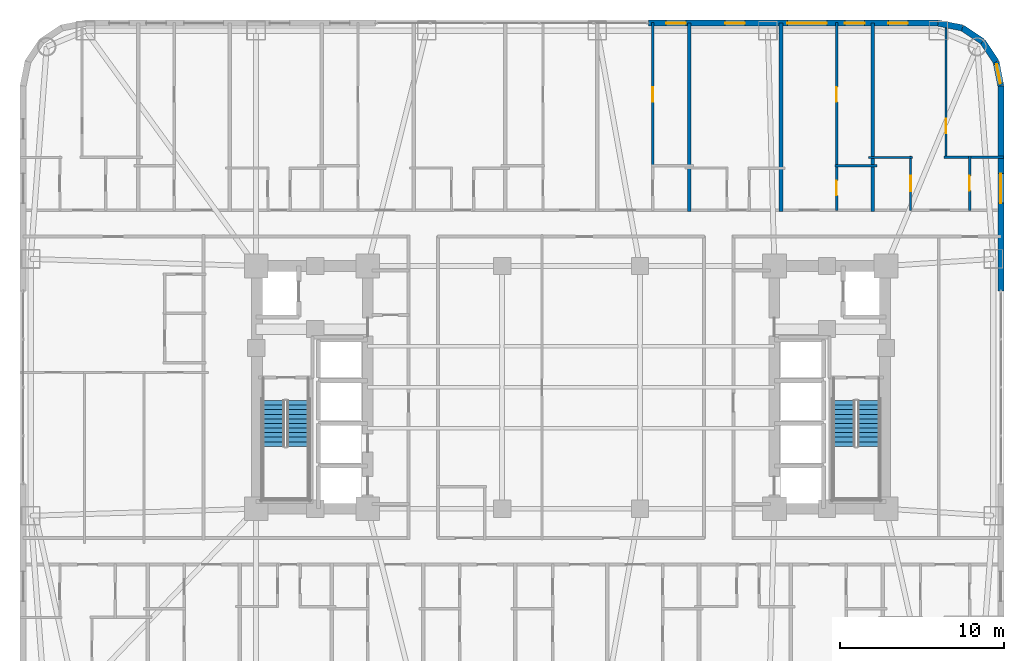
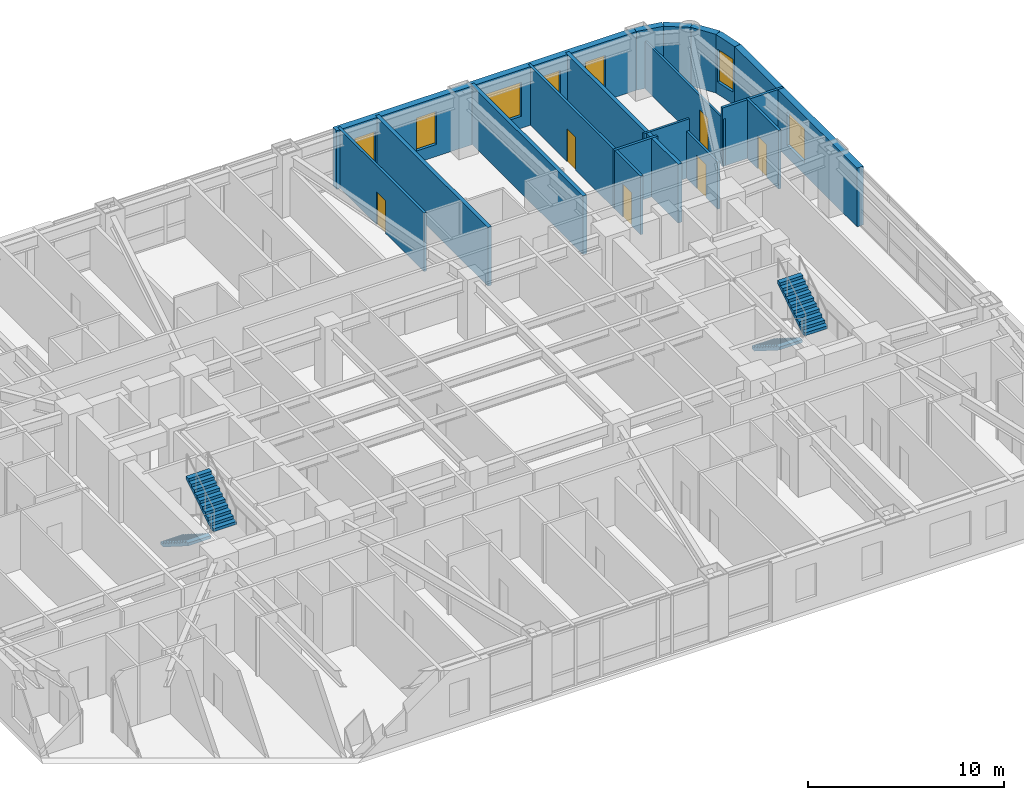
# One storey, part 26 of 28: 18 walls, 7 windows, 6 doors, 4 stair flights, 13 openings, 2 elements without a shape of their own.
"""IFC4 building model written with IfcOpenShell, lengths in metres."""

from ifc_helpers import new_model, si_unit, direction, frame, frame_2d, origin, place, context, subcontext, project, spatial, polyline, rectangle, outline, extrude, material, layer, layer_set, type_object, element, fill, aggregate, save


model = new_model("IFC4")

# Units and contexts
model_context = context("Model", 3, precision=1e-05, world=origin(), true_north=direction((0.0, 1.0)))
body_context = subcontext(model_context, "Body", "Model", "MODEL_VIEW")
ifc_project = project(units=[si_unit("LENGTHUNIT", "METRE"), si_unit("AREAUNIT", "SQUARE_METRE"), si_unit("VOLUMEUNIT", "CUBIC_METRE"), si_unit("PLANEANGLEUNIT", "RADIAN"), si_unit("MASSUNIT", "GRAM", prefix="KILO")], contexts=[model_context])

# Site, building, storey
site_placement = place(None, origin())
site = spatial("IfcSite", under=ifc_project, at=site_placement, CompositionType="ELEMENT")
building_placement = place(site_placement, origin())
building = spatial("IfcBuilding", under=site, at=building_placement, Name="Voryun Gate Residences", CompositionType="ELEMENT")
storey_placement = place(building_placement, frame((0.0, 0.0, 61.10009765625)))
storey = spatial("IfcBuildingStorey", under=building, at=storey_placement, Name="L14", CompositionType="ELEMENT", Elevation=61.10009765625)

# Wall, openings, windows
ifc_material_1 = material(Name="Granite masonry", Category="masonry")
ifc_layer_1 = layer(ifc_material_1, 0.3798828125, Name="W_EXT_GRANITE_380")
ifc_layer_set_1 = layer_set([ifc_layer_1], Name="Granite masonry")
wall_type_1 = type_object("IfcWallType", Name="W_EXT_GRANITE_380", PredefinedType="ELEMENTEDWALL", material=ifc_layer_set_1)
wall_1_placement = place(storey_placement, frame((4.714111328125, 22.2099609375, 0.0), z_axis=(0.0, 0.0, 1.0), x_axis=(1.0, 0.0, 0.0)))
wall_1 = element("IfcWall", 1, at=wall_1_placement, inside=storey, type_object=wall_type_1, Name="Exterior wall WEXT-L14-11B", PredefinedType="ELEMENTEDWALL", context=body_context, shape_type="SweptSolid", body=[
    extrude(rectangle(XDim=17.667236328125, YDim=0.3798828125, at=frame_2d((8.83349609375, 0.0))), origin(), (0.0, 0.0, 1.0), 3.64990234375),
])
opening_1_placement = place(wall_1_placement, frame((8.483642578125, 0.0, 0.75)))
opening_1 = element("IfcOpeningElement", 2, at=opening_1_placement, cuts=wall_1, Name="Opening WN2", PredefinedType="OPENING", context=body_context, shape_type="SweptSolid", body=[
    extrude(rectangle(XDim=2.39990234375, YDim=2.10009765625, at=frame_2d((1.199951171875, 1.050048828125))), frame((0.0, 0.199951171875, 0.0), z_axis=(0.0, -1.0, 0.0), x_axis=(1.0, 0.0, 0.0)), (0.0, 0.0, 1.0), 0.39990234375),
])
opening_2_placement = place(wall_1_placement, frame((1.087890625, 0.0, 0.75)))
opening_2 = element("IfcOpeningElement", 3, at=opening_2_placement, cuts=wall_1, Name="Opening WN6", PredefinedType="OPENING", context=body_context, shape_type="SweptSolid", body=[
    extrude(rectangle(XDim=1.199951171875, YDim=2.050048828125, at=frame_2d((0.60009765625, 1.02490234375))), frame((0.0, 0.199951171875, 0.0), z_axis=(0.0, -1.0, 0.0), x_axis=(1.0, 0.0, 0.0)), (0.0, 0.0, 1.0), 0.39990234375),
])
opening_3_placement = place(wall_1_placement, frame((4.68603515625, 0.0, 0.75)))
opening_3 = element("IfcOpeningElement", 4, at=opening_3_placement, cuts=wall_1, Name="Opening WN6", PredefinedType="OPENING", context=body_context, shape_type="SweptSolid", body=[
    extrude(rectangle(XDim=1.199951171875, YDim=2.050048828125, at=frame_2d((0.60009765625, 1.02490234375))), frame((0.0, 0.199951171875, 0.0), z_axis=(0.0, -1.0, 0.0), x_axis=(1.0, 0.0, 0.0)), (0.0, 0.0, 1.0), 0.39990234375),
])
opening_4_placement = place(wall_1_placement, frame((11.98095703125, 0.0, 0.75)))
opening_4 = element("IfcOpeningElement", 5, at=opening_4_placement, cuts=wall_1, Name="Opening WN6", PredefinedType="OPENING", context=body_context, shape_type="SweptSolid", body=[
    extrude(rectangle(XDim=1.199951171875, YDim=2.050048828125, at=frame_2d((0.60009765625, 1.02490234375))), frame((0.0, 0.199951171875, 0.0), z_axis=(0.0, -1.0, 0.0), x_axis=(1.0, 0.0, 0.0)), (0.0, 0.0, 1.0), 0.39990234375),
])
opening_5_placement = place(wall_1_placement, frame((14.631591796875, 0.0, 0.75)))
opening_5 = element("IfcOpeningElement", 6, at=opening_5_placement, cuts=wall_1, Name="Opening WN6", PredefinedType="OPENING", context=body_context, shape_type="SweptSolid", body=[
    extrude(rectangle(XDim=1.199951171875, YDim=2.050048828125, at=frame_2d((0.60009765625, 1.02490234375))), frame((0.0, 0.199951171875, 0.0), z_axis=(0.0, -1.0, 0.0), x_axis=(1.0, 0.0, 0.0)), (0.0, 0.0, 1.0), 0.39990234375),
])
ifc_material_2 = material(Name="Laminated low-E glass", Category="glass")
window_type_1 = type_object("IfcWindowType", Name="WN_POD_SLOT_1200", PartitioningType="SINGLE_PANEL", PredefinedType="WINDOW", material=ifc_material_2)
window_1_placement = place(opening_2_placement, origin())
window_1 = element("IfcWindow", 7, at=window_1_placement, inside=storey, type_object=window_type_1, Name="Window WN-L14-DWFIX-06", OverallHeight=2.050048828125, OverallWidth=1.199951171875, PartitioningType="SINGLE_PANEL", PredefinedType="WINDOW", context=body_context, shape_type="SweptSolid", body=[
    extrude(rectangle(XDim=1.199951171875, YDim=2.050048828125, at=frame_2d((0.60009765625, 1.02490234375))), frame((0.0, 0.030029296875, 0.0), z_axis=(0.0, -1.0, 0.0), x_axis=(1.0, 0.0, 0.0)), (0.0, 0.0, 1.0), 0.06005859375),
])
fill(opening_2, window_1)
window_2_placement = place(opening_3_placement, origin())
window_2 = element("IfcWindow", 8, at=window_2_placement, inside=storey, type_object=window_type_1, Name="Window WN-L14-DWFIX-07", OverallHeight=2.050048828125, OverallWidth=1.199951171875, PartitioningType="SINGLE_PANEL", PredefinedType="WINDOW", context=body_context, shape_type="SweptSolid", body=[
    extrude(rectangle(XDim=1.199951171875, YDim=2.050048828125, at=frame_2d((0.60009765625, 1.02490234375))), frame((0.0, 0.030029296875, 0.0), z_axis=(0.0, -1.0, 0.0), x_axis=(1.0, 0.0, 0.0)), (0.0, 0.0, 1.0), 0.06005859375),
])
fill(opening_3, window_2)
window_3_placement = place(opening_4_placement, origin())
window_3 = element("IfcWindow", 9, at=window_3_placement, inside=storey, type_object=window_type_1, Name="Window WN-L14-DWFIX-08", OverallHeight=2.050048828125, OverallWidth=1.199951171875, PartitioningType="SINGLE_PANEL", PredefinedType="WINDOW", context=body_context, shape_type="SweptSolid", body=[
    extrude(rectangle(XDim=1.199951171875, YDim=2.050048828125, at=frame_2d((0.60009765625, 1.02490234375))), frame((0.0, 0.030029296875, 0.0), z_axis=(0.0, -1.0, 0.0), x_axis=(1.0, 0.0, 0.0)), (0.0, 0.0, 1.0), 0.06005859375),
])
fill(opening_4, window_3)
window_4_placement = place(opening_5_placement, origin())
window_4 = element("IfcWindow", 10, at=window_4_placement, inside=storey, type_object=window_type_1, Name="Window WN-L14-DWFIX-09", OverallHeight=2.050048828125, OverallWidth=1.199951171875, PartitioningType="SINGLE_PANEL", PredefinedType="WINDOW", context=body_context, shape_type="SweptSolid", body=[
    extrude(rectangle(XDim=1.199951171875, YDim=2.050048828125, at=frame_2d((0.60009765625, 1.02490234375))), frame((0.0, 0.030029296875, 0.0), z_axis=(0.0, -1.0, 0.0), x_axis=(1.0, 0.0, 0.0)), (0.0, 0.0, 1.0), 0.06005859375),
])
fill(opening_5, window_4)
ifc_material_3 = material(Name="Laminated low-E glass", Category="glass")
window_type_2 = type_object("IfcWindowType", Name="WN_RES_WIDE_2400", PartitioningType="SINGLE_PANEL", PredefinedType="WINDOW", material=ifc_material_3)
window_5_placement = place(opening_1_placement, origin())
window_5 = element("IfcWindow", 11, at=window_5_placement, inside=storey, type_object=window_type_2, Name="Window WN-WEXT-L14-11B-01", OverallHeight=2.10009765625, OverallWidth=2.39990234375, PartitioningType="SINGLE_PANEL", PredefinedType="WINDOW", context=body_context, shape_type="SweptSolid", body=[
    extrude(rectangle(XDim=2.39990234375, YDim=2.10009765625, at=frame_2d((1.199951171875, 1.050048828125))), frame((0.0, 0.030029296875, 0.0), z_axis=(0.0, -1.0, 0.0), x_axis=(1.0, 0.0, 0.0)), (0.0, 0.0, 1.0), 0.06005859375),
])
fill(opening_1, window_5)

# Walls
wall_2_placement = place(storey_placement, frame((22.38134765625, 22.2099609375, 0.0), z_axis=(0.0, 0.0, 1.0), x_axis=(0.980786132421, -0.195086038585, 0.0)))
element("IfcWall", 12, at=wall_2_placement, inside=storey, type_object=wall_type_1, Name="Exterior wall WEXT-L14-12", PredefinedType="ELEMENTEDWALL", context=body_context, shape_type="SweptSolid", body=[
    extrude(rectangle(XDim=1.504150390625, YDim=0.3798828125, at=frame_2d((0.751953125, 0.0))), origin(), (0.0, 0.0, 1.0), 3.64990234375),
])
for number, where, z_axis, x_axis, name in (
    (13, (23.856689453125, 21.91650390625, 0.0), (0.0, 0.0, 1.0), (0.831392092774, -0.555686231674, 0.0), "Exterior wall WEXT-L14-13"),
    (14, (25.09130859375, 21.09130859375, 0.0), (0.0, 0.0, 1.0), (0.555686231674, -0.831392092774, 0.0), "Exterior wall WEXT-L14-14"),
):
    element("IfcWall", number, at=place(storey_placement, frame(where, z_axis=z_axis, x_axis=x_axis)), inside=storey, type_object=wall_type_1, Name=name, PredefinedType="ELEMENTEDWALL", context=body_context, shape_type="SweptSolid", body=[
        extrude(rectangle(XDim=1.485107421875, YDim=0.3798828125, at=frame_2d((0.74267578125, 0.0))), origin(), (0.0, 0.0, 1.0), 3.64990234375),
    ])

# Wall, opening, window
wall_3_placement = place(storey_placement, frame((25.91650390625, 19.856689453125, 0.0), z_axis=(0.0, 0.0, 1.0), x_axis=(0.195086038585, -0.980786132421, 0.0)))
wall_3 = element("IfcWall", 15, at=wall_3_placement, inside=storey, type_object=wall_type_1, Name="Exterior wall WEXT-L14-15", PredefinedType="ELEMENTEDWALL", context=body_context, shape_type="SweptSolid", body=[
    extrude(rectangle(XDim=1.504150390625, YDim=0.3798828125, at=frame_2d((0.751953125, 0.0))), origin(), (0.0, 0.0, 1.0), 3.64990234375),
])
opening_6_placement = place(wall_3_placement, frame((0.152099609375, 0.0, 0.75)))
opening_6 = element("IfcOpeningElement", 16, at=opening_6_placement, cuts=wall_3, Name="Opening WN6", PredefinedType="OPENING", context=body_context, shape_type="SweptSolid", body=[
    extrude(rectangle(XDim=1.199951171875, YDim=2.050048828125, at=frame_2d((0.60009765625, 1.02490234375))), frame((0.0, 0.199951171875, 0.0), z_axis=(0.0, -1.0, 0.0), x_axis=(1.0, 0.0, 0.0)), (0.0, 0.0, 1.0), 0.39990234375),
])
window_6_placement = place(opening_6_placement, origin())
window_6 = element("IfcWindow", 17, at=window_6_placement, inside=storey, type_object=window_type_1, Name="Window WN-L14-DWFIX-10", OverallHeight=2.050048828125, OverallWidth=1.199951171875, PartitioningType="SINGLE_PANEL", PredefinedType="WINDOW", context=body_context, shape_type="SweptSolid", body=[
    extrude(rectangle(XDim=1.199951171875, YDim=2.050048828125, at=frame_2d((0.60009765625, 1.02490234375))), frame((0.0, 0.030029296875, 0.0), z_axis=(0.0, -1.0, 0.0), x_axis=(1.0, 0.0, 0.0)), (0.0, 0.0, 1.0), 0.06005859375),
])
fill(opening_6, window_6)

wall_4_placement = place(storey_placement, frame((26.2099609375, 18.38134765625, 0.0), z_axis=(0.0, 0.0, 1.0), x_axis=(0.0, -1.0, 0.0)))
wall_4 = element("IfcWall", 18, at=wall_4_placement, inside=storey, type_object=wall_type_1, Name="Exterior wall WEXT-L14-16A", PredefinedType="ELEMENTEDWALL", context=body_context, shape_type="SweptSolid", body=[
    extrude(rectangle(XDim=12.499267578125, YDim=0.3798828125, at=frame_2d((6.24951171875, 0.0))), origin(), (0.0, 0.0, 1.0), 3.64990234375),
])
opening_7_placement = place(wall_4_placement, frame((5.349609375, 0.0, 0.75)))
opening_7 = element("IfcOpeningElement", 19, at=opening_7_placement, cuts=wall_4, Name="Opening WN1", PredefinedType="OPENING", context=body_context, shape_type="SweptSolid", body=[
    extrude(rectangle(XDim=1.800048828125, YDim=2.10009765625, at=frame_2d((0.89990234375, 1.050048828125))), frame((0.0, 0.199951171875, 0.0), z_axis=(0.0, -1.0, 0.0), x_axis=(1.0, 0.0, 0.0)), (0.0, 0.0, 1.0), 0.39990234375),
])
ifc_material_4 = material(Name="Laminated low-E glass", Category="glass")
window_type_3 = type_object("IfcWindowType", Name="WN_RES_PUNCH_1800", PartitioningType="SINGLE_PANEL", PredefinedType="WINDOW", material=ifc_material_4)
window_7_placement = place(opening_7_placement, origin())
window_7 = element("IfcWindow", 20, at=window_7_placement, inside=storey, type_object=window_type_3, Name="Window WN-WEXT-L14-16A-01", OverallHeight=2.10009765625, OverallWidth=1.800048828125, PartitioningType="SINGLE_PANEL", PredefinedType="WINDOW", context=body_context, shape_type="SweptSolid", body=[
    extrude(rectangle(XDim=1.800048828125, YDim=2.10009765625, at=frame_2d((0.89990234375, 1.050048828125))), frame((0.0, 0.030029296875, 0.0), z_axis=(0.0, -1.0, 0.0), x_axis=(1.0, 0.0, 0.0)), (0.0, 0.0, 1.0), 0.06005859375),
])
fill(opening_7, window_7)

# Walls
ifc_material_5 = material(Name="Concrete C40/50", Category="concrete")
ifc_layer_2 = layer(ifc_material_5, 0.219970703125, Name="W_PARTY_ACOUSTIC_220")
ifc_layer_set_2 = layer_set([ifc_layer_2], Name="Concrete C40/50")
wall_type_2 = type_object("IfcWallType", Name="W_PARTY_ACOUSTIC_220", PredefinedType="PARTITIONING", material=ifc_layer_set_2)
for number, where, z_axis, x_axis, name in (
    (21, (7.199951171875, 10.719970703125, 0.0), (0.0, 0.0, 1.0), (0.0, 1.0, 0.0), "Partition wall WP-L14-NPTY-7"),
    (22, (12.800048828125, 10.719970703125, 0.0), (0.0, 0.0, 1.0), (0.0, 1.0, 0.0), "Partition wall WP-L14-NPTY-8"),
    (23, (18.39990234375, 10.719970703125, 0.0), (0.0, 0.0, 1.0), (0.0, 1.0, 0.0), "Partition wall WP-L14-NPTY-9"),
):
    element("IfcWall", number, at=place(storey_placement, frame(where, z_axis=z_axis, x_axis=x_axis)), inside=storey, type_object=wall_type_2, Name=name, PredefinedType="PARTITIONING", context=body_context, shape_type="SweptSolid", body=[
        extrude(rectangle(XDim=11.489990234375, YDim=0.219970703125, at=frame_2d((5.7451171875, 0.0))), origin(), (0.0, 0.0, 1.0), 3.64990234375),
    ])

# Wall, opening, door
ifc_material_6 = material(Name="Gypsum acoustic partition")
ifc_layer_3 = layer(ifc_material_6, 0.125, Name="W_UNIT_PART_125")
ifc_layer_set_3 = layer_set([ifc_layer_3], Name="Gypsum acoustic partition")
wall_type_3 = type_object("IfcWallType", Name="W_UNIT_PART_125", PredefinedType="PARTITIONING", material=ifc_layer_set_3)
wall_5_placement = place(storey_placement, frame((22.867919921875, 13.93994140625, 0.0), z_axis=(0.0, 0.0, 1.0), x_axis=(0.0, 1.0, 0.0)))
wall_5 = element("IfcWall", 24, at=wall_5_placement, inside=storey, type_object=wall_type_3, Name="Partition wall WP-L14-N10-OVR", PredefinedType="PARTITIONING", context=body_context, shape_type="SweptSolid", body=[
    extrude(rectangle(XDim=8.326171875, YDim=0.125, at=frame_2d((4.1630859375, 0.0))), origin(), (0.0, 0.0, 1.0), 2.93994140625),
])
opening_8_placement = place(wall_5_placement, frame((1.54833984375, 0.0, 0.0)))
opening_8 = element("IfcOpeningElement", 25, at=opening_8_placement, cuts=wall_5, Name="Opening D-INT-2", PredefinedType="OPENING", context=body_context, shape_type="SweptSolid", body=[
    extrude(rectangle(XDim=0.89990234375, YDim=2.050048828125, at=frame_2d((0.449951171875, 1.02490234375))), frame((0.0, 0.072509765625, 0.0), z_axis=(0.0, -1.0, 0.0), x_axis=(1.0, 0.0, 0.0)), (0.0, 0.0, 1.0), 0.14501953125),
])
ifc_material_7 = material(Name="Architectural oak veneer")
door_type_1 = type_object("IfcDoorType", Name="DR_INT_BATH_900", OperationType="NOTDEFINED", PredefinedType="DOOR", material=ifc_material_7)
door_1_placement = place(opening_8_placement, origin())
door_1 = element("IfcDoor", 26, at=door_1_placement, inside=storey, type_object=door_type_1, Name="Door DR-L14-N10-DMB", OperationType="SINGLE_SWING_RIGHT", OverallHeight=2.050048828125, OverallWidth=0.89990234375, PredefinedType="DOOR", context=body_context, shape_type="SweptSolid", body=[
    extrude(rectangle(XDim=0.89990234375, YDim=2.050048828125, at=frame_2d((0.449951171875, 1.02490234375))), frame((0.0, 0.02490234375, 0.0), z_axis=(0.0, -1.0, 0.0), x_axis=(1.0, 0.0, 0.0)), (0.0, 0.0, 1.0), 0.050048828125),
])
fill(opening_8, door_1)

wall_6_placement = place(storey_placement, frame((20.7099609375, 10.780029296875, 0.0), z_axis=(0.0, 0.0, 1.0), x_axis=(0.0, 1.0, 0.0)))
wall_6 = element("IfcWall", 27, at=wall_6_placement, inside=storey, type_object=wall_type_3, Name="Partition wall WP-L14-N10-IVK", PredefinedType="PARTITIONING", context=body_context, shape_type="SweptSolid", body=[
    extrude(rectangle(XDim=3.320068359375, YDim=0.125, at=frame_2d((1.66015625, 0.0))), origin(), (0.0, 0.0, 1.0), 2.93994140625),
])
opening_9_placement = place(wall_6_placement, frame((1.18505859375, 0.0, 0.0)))
opening_9 = element("IfcOpeningElement", 28, at=opening_9_placement, cuts=wall_6, Name="Opening D-INT-1", PredefinedType="OPENING", context=body_context, shape_type="SweptSolid", body=[
    extrude(rectangle(XDim=0.949951171875, YDim=2.050048828125, at=frame_2d((0.47509765625, 1.02490234375))), frame((0.0, 0.072509765625, 0.0), z_axis=(0.0, -1.0, 0.0), x_axis=(1.0, 0.0, 0.0)), (0.0, 0.0, 1.0), 0.14501953125),
])
ifc_material_8 = material(Name="Architectural oak veneer")
door_type_2 = type_object("IfcDoorType", Name="DR_INT_ROOM_950", OperationType="NOTDEFINED", PredefinedType="DOOR", material=ifc_material_8)
door_2_placement = place(opening_9_placement, origin())
door_2 = element("IfcDoor", 29, at=door_2_placement, inside=storey, type_object=door_type_2, Name="Door DR-L14-N10-DK", OperationType="SINGLE_SWING_LEFT", OverallHeight=2.050048828125, OverallWidth=0.949951171875, PredefinedType="DOOR", context=body_context, shape_type="SweptSolid", body=[
    extrude(rectangle(XDim=0.949951171875, YDim=2.050048828125, at=frame_2d((0.47509765625, 1.02490234375))), frame((0.0, 0.02490234375, 0.0), z_axis=(0.0, -1.0, 0.0), x_axis=(1.0, 0.0, 0.0)), (0.0, 0.0, 1.0), 0.050048828125),
])
fill(opening_9, door_2)

# Wall
wall_7_placement = place(storey_placement, frame((18.139892578125, 14.02001953125, 0.0), z_axis=(0.0, 0.0, 1.0), x_axis=(1.0, 0.0, 0.0)))
element("IfcWall", 30, at=wall_7_placement, inside=storey, type_object=wall_type_3, Name="Partition wall WP-L14-N10-HZK", PredefinedType="PARTITIONING", context=body_context, shape_type="SweptSolid", body=[
    extrude(rectangle(XDim=2.690185546875, YDim=0.125, at=frame_2d((1.34521484375, 0.0))), origin(), (0.0, 0.0, 1.0), 3.64990234375),
])

# Wall, opening, door
ifc_material_9 = material(Name="Gypsum moisture-resistant partition")
ifc_layer_4 = layer(ifc_material_9, 0.14990234375, Name="W_WET_PLUMB_150")
ifc_layer_set_4 = layer_set([ifc_layer_4], Name="Gypsum moisture-resistant partition")
wall_type_4 = type_object("IfcWallType", Name="W_WET_PLUMB_150", PredefinedType="PLUMBINGWALL", material=ifc_layer_set_4)
wall_8_placement = place(storey_placement, frame((4.989990234375, 13.4599609375, 0.0), z_axis=(0.0, 0.0, 1.0), x_axis=(0.0, 1.0, 0.0)))
wall_8 = element("IfcWall", 31, at=wall_8_placement, inside=storey, type_object=wall_type_4, Name="Partition wall WP-L14-N7-SVT2", PredefinedType="PLUMBINGWALL", context=body_context, shape_type="SweptSolid", body=[
    extrude(rectangle(XDim=8.797607421875, YDim=0.14990234375, at=frame_2d((4.39892578125, 0.0))), origin(), (0.0, 0.0, 1.0), 3.64990234375),
])
opening_10_placement = place(wall_8_placement, frame((3.94873046875, 0.0, 0.0)))
opening_10 = element("IfcOpeningElement", 32, at=opening_10_placement, cuts=wall_8, Name="Opening D-INT-2", PredefinedType="OPENING", context=body_context, shape_type="SweptSolid", body=[
    extrude(rectangle(XDim=0.89990234375, YDim=2.050048828125, at=frame_2d((0.449951171875, 1.02490234375))), frame((0.0, 0.0849609375, 0.0), z_axis=(0.0, -1.0, 0.0), x_axis=(1.0, 0.0, 0.0)), (0.0, 0.0, 1.0), 0.169921875),
])
door_3_placement = place(opening_10_placement, origin())
door_3 = element("IfcDoor", 33, at=door_3_placement, inside=storey, type_object=door_type_1, Name="Door DR-L14-N7-DK", OperationType="SINGLE_SWING_RIGHT", OverallHeight=2.050048828125, OverallWidth=0.89990234375, PredefinedType="DOOR", context=body_context, shape_type="SweptSolid", body=[
    extrude(rectangle(XDim=0.89990234375, YDim=2.050048828125, at=frame_2d((0.449951171875, 1.02490234375))), frame((0.0, 0.02490234375, 0.0), z_axis=(0.0, -1.0, 0.0), x_axis=(1.0, 0.0, 0.0)), (0.0, 0.0, 1.0), 0.050048828125),
])
fill(opening_10, door_3)

# Wall
wall_9_placement = place(storey_placement, frame((16.110107421875, 13.5, 0.0), z_axis=(0.0, 0.0, 1.0), x_axis=(1.0, 0.0, 0.0)))
element("IfcWall", 34, at=wall_9_placement, inside=storey, type_object=wall_type_4, Name="Partition wall WP-L14-N9-SKB", PredefinedType="PLUMBINGWALL", context=body_context, shape_type="SweptSolid", body=[
    extrude(rectangle(XDim=2.5498046875, YDim=0.14990234375, at=frame_2d((1.27490234375, 0.0))), origin(), (0.0, 0.0, 1.0), 3.64990234375),
])

# Wall, opening, door
wall_10_placement = place(storey_placement, frame((16.18994140625, 10.780029296875, 0.0), z_axis=(0.0, 0.0, 1.0), x_axis=(0.0, 1.0, 0.0)))
wall_10 = element("IfcWall", 35, at=wall_10_placement, inside=storey, type_object=wall_type_4, Name="Partition wall WP-L14-N9-SVT1", PredefinedType="PLUMBINGWALL", context=body_context, shape_type="SweptSolid", body=[
    extrude(rectangle(XDim=2.760009765625, YDim=0.14990234375, at=frame_2d((1.3798828125, 0.0))), origin(), (0.0, 0.0, 1.0), 3.64990234375),
])
opening_11_placement = place(wall_10_placement, frame((0.929931640625, 0.0, 0.0)))
opening_11 = element("IfcOpeningElement", 36, at=opening_11_placement, cuts=wall_10, Name="Opening D-INT-2", PredefinedType="OPENING", context=body_context, shape_type="SweptSolid", body=[
    extrude(rectangle(XDim=0.89990234375, YDim=2.050048828125, at=frame_2d((0.449951171875, 1.02490234375))), frame((0.0, 0.0849609375, 0.0), z_axis=(0.0, -1.0, 0.0), x_axis=(1.0, 0.0, 0.0)), (0.0, 0.0, 1.0), 0.169921875),
])
door_4_placement = place(opening_11_placement, origin())
door_4 = element("IfcDoor", 37, at=door_4_placement, inside=storey, type_object=door_type_1, Name="Door DR-L14-N9-DB", OperationType="SINGLE_SWING_LEFT", OverallHeight=2.050048828125, OverallWidth=0.89990234375, PredefinedType="DOOR", context=body_context, shape_type="SweptSolid", body=[
    extrude(rectangle(XDim=0.89990234375, YDim=2.050048828125, at=frame_2d((0.449951171875, 1.02490234375))), frame((0.0, 0.02490234375, 0.0), z_axis=(0.0, -1.0, 0.0), x_axis=(1.0, 0.0, 0.0)), (0.0, 0.0, 1.0), 0.050048828125),
])
fill(opening_11, door_4)

wall_11_placement = place(storey_placement, frame((16.18994140625, 13.4599609375, 0.0), z_axis=(0.0, 0.0, 1.0), x_axis=(0.0, 1.0, 0.0)))
wall_11 = element("IfcWall", 38, at=wall_11_placement, inside=storey, type_object=wall_type_4, Name="Partition wall WP-L14-N9-SVT2", PredefinedType="PLUMBINGWALL", context=body_context, shape_type="SweptSolid", body=[
    extrude(rectangle(XDim=8.797607421875, YDim=0.14990234375, at=frame_2d((4.39892578125, 0.0))), origin(), (0.0, 0.0, 1.0), 3.64990234375),
])
opening_12_placement = place(wall_11_placement, frame((3.94873046875, 0.0, 0.0)))
opening_12 = element("IfcOpeningElement", 39, at=opening_12_placement, cuts=wall_11, Name="Opening D-INT-2", PredefinedType="OPENING", context=body_context, shape_type="SweptSolid", body=[
    extrude(rectangle(XDim=0.89990234375, YDim=2.050048828125, at=frame_2d((0.449951171875, 1.02490234375))), frame((0.0, 0.0849609375, 0.0), z_axis=(0.0, -1.0, 0.0), x_axis=(1.0, 0.0, 0.0)), (0.0, 0.0, 1.0), 0.169921875),
])
door_5_placement = place(opening_12_placement, origin())
door_5 = element("IfcDoor", 40, at=door_5_placement, inside=storey, type_object=door_type_1, Name="Door DR-L14-N9-DK", OperationType="SINGLE_SWING_RIGHT", OverallHeight=2.050048828125, OverallWidth=0.89990234375, PredefinedType="DOOR", context=body_context, shape_type="SweptSolid", body=[
    extrude(rectangle(XDim=0.89990234375, YDim=2.050048828125, at=frame_2d((0.449951171875, 1.02490234375))), frame((0.0, 0.02490234375, 0.0), z_axis=(0.0, -1.0, 0.0), x_axis=(1.0, 0.0, 0.0)), (0.0, 0.0, 1.0), 0.050048828125),
])
fill(opening_12, door_5)

# Wall
wall_12_placement = place(storey_placement, frame((22.748046875, 14.02001953125, 0.0), z_axis=(0.0, 0.0, 1.0), x_axis=(1.0, 0.0, 0.0)))
element("IfcWall", 41, at=wall_12_placement, inside=storey, type_object=wall_type_4, Name="Partition wall WP-L14-N10-HZB", PredefinedType="PLUMBINGWALL", context=body_context, shape_type="SweptSolid", body=[
    extrude(rectangle(XDim=3.612060546875, YDim=0.14990234375, at=frame_2d((1.80615234375, 0.0))), origin(), (0.0, 0.0, 1.0), 3.64990234375),
])

# Wall, opening, door
wall_13_placement = place(storey_placement, frame((24.298095703125, 10.780029296875, 0.0), z_axis=(0.0, 0.0, 1.0), x_axis=(0.0, 1.0, 0.0)))
wall_13 = element("IfcWall", 42, at=wall_13_placement, inside=storey, type_object=wall_type_4, Name="Partition wall WP-L14-N10-IVB", PredefinedType="PLUMBINGWALL", context=body_context, shape_type="SweptSolid", body=[
    extrude(rectangle(XDim=3.320068359375, YDim=0.14990234375, at=frame_2d((1.66015625, 0.0))), origin(), (0.0, 0.0, 1.0), 3.64990234375),
])
opening_13_placement = place(wall_13_placement, frame((1.2099609375, 0.0, 0.0)))
opening_13 = element("IfcOpeningElement", 43, at=opening_13_placement, cuts=wall_13, Name="Opening D-INT-2", PredefinedType="OPENING", context=body_context, shape_type="SweptSolid", body=[
    extrude(rectangle(XDim=0.89990234375, YDim=2.050048828125, at=frame_2d((0.449951171875, 1.02490234375))), frame((0.0, 0.0849609375, 0.0), z_axis=(0.0, -1.0, 0.0), x_axis=(1.0, 0.0, 0.0)), (0.0, 0.0, 1.0), 0.169921875),
])
door_6_placement = place(opening_13_placement, origin())
door_6 = element("IfcDoor", 44, at=door_6_placement, inside=storey, type_object=door_type_1, Name="Door DR-L14-N10-DB", OperationType="SINGLE_SWING_RIGHT", OverallHeight=2.050048828125, OverallWidth=0.89990234375, PredefinedType="DOOR", context=body_context, shape_type="SweptSolid", body=[
    extrude(rectangle(XDim=0.89990234375, YDim=2.050048828125, at=frame_2d((0.449951171875, 1.02490234375))), frame((0.0, 0.02490234375, 0.0), z_axis=(0.0, -1.0, 0.0), x_axis=(1.0, 0.0, 0.0)), (0.0, 0.0, 1.0), 0.050048828125),
])
fill(opening_13, door_6)

# Stair, stair flights
ifc_material_10 = material(Name="Concrete C40/50", Category="concrete")
stair_type = type_object("IfcStairType", Name="STR_CORE_DOGLEG_1350", PredefinedType="HALF_TURN_STAIR", material=ifc_material_10)
stair_1_placement = place(storey_placement, origin())
stair_1 = element("IfcStair", 45, at=stair_1_placement, inside=storey, type_object=stair_type, Name="L14 Special Escape Stair ST-W1", PredefinedType="HALF_TURN_STAIR")
ifc_material_11 = material(Name="Concrete C40/50", Category="concrete")
stair_flight_type = type_object("IfcStairFlightType", Name="FLT_CORE_1350", PredefinedType="STRAIGHT", material=ifc_material_11)
stair_flight_1_placement = place(storey_placement, frame((-18.14990234375, -0.800048828125, 0.0), z_axis=(0.0, 0.0, 1.0), x_axis=(0.0, -1.0, 0.0)))
stair_flight_1 = element("IfcStairFlight", 46, at=stair_flight_1_placement, type_object=stair_flight_type, Name="ST-W1 flight 1", NumberOfRisers=11, NumberOfTreads=10, PredefinedType="STRAIGHT", RiserHeight=0.177272727, TreadLength=0.28, context=body_context, shape_type="SweptSolid", body=[
    extrude(outline(polyline([(0.0, 0.0), (0.0, 0.17724609375), (0.280029296875, 0.17724609375), (0.280029296875, 0.3544921875), (0.56005859375, 0.3544921875), (0.56005859375, 0.53173828125), (0.840087890625, 0.53173828125), (0.840087890625, 0.708984375), (1.1201171875, 0.708984375), (1.1201171875, 0.886474609375), (1.39990234375, 0.886474609375), (1.39990234375, 1.063720703125), (1.679931640625, 1.063720703125), (1.679931640625, 1.240966796875), (1.9599609375, 1.240966796875), (1.9599609375, 1.418212890625), (2.239990234375, 1.418212890625), (2.239990234375, 1.595458984375), (2.52001953125, 1.595458984375), (2.52001953125, 1.772705078125), (2.800048828125, 1.772705078125), (2.800048828125, 1.949951171875), (2.800048828125, 1.59521484375), (0.2802734375, 0.0), (0.0, 0.0)])), frame((0.0, 0.675048828125, 0.0), z_axis=(0.0, -1.0, 0.0), x_axis=(1.0, 0.0, 0.0)), (0.0, 0.0, 1.0), 1.35009765625),
])
stair_flight_2_placement = place(storey_placement, frame((-16.64990234375, -3.60009765625, 1.949951171875), z_axis=(0.0, 0.0, 1.0), x_axis=(0.0, 1.0, 0.0)))
stair_flight_2 = element("IfcStairFlight", 47, at=stair_flight_2_placement, type_object=stair_flight_type, Name="ST-W1 flight 2", NumberOfRisers=11, NumberOfTreads=10, PredefinedType="STRAIGHT", RiserHeight=0.177272727, TreadLength=0.28, context=body_context, shape_type="SweptSolid", body=[
    extrude(outline(polyline([(0.0, 0.0), (0.0, 0.17724609375), (0.280029296875, 0.17724609375), (0.280029296875, 0.3544921875), (0.56005859375, 0.3544921875), (0.56005859375, 0.53173828125), (0.840087890625, 0.53173828125), (0.840087890625, 0.708984375), (1.1201171875, 0.708984375), (1.1201171875, 0.886474609375), (1.39990234375, 0.886474609375), (1.39990234375, 1.063720703125), (1.679931640625, 1.063720703125), (1.679931640625, 1.240966796875), (1.9599609375, 1.240966796875), (1.9599609375, 1.418212890625), (2.239990234375, 1.418212890625), (2.239990234375, 1.595458984375), (2.52001953125, 1.595458984375), (2.52001953125, 1.772705078125), (2.800048828125, 1.772705078125), (2.800048828125, 1.949951171875), (2.800048828125, 1.59521484375), (0.2802734375, 0.0), (0.0, 0.0)])), frame((0.0, 0.675048828125, 0.0), z_axis=(0.0, -1.0, 0.0), x_axis=(1.0, 0.0, 0.0)), (0.0, 0.0, 1.0), 1.35009765625),
])
aggregate(stair_1, [stair_flight_1, stair_flight_2])

stair_2_placement = place(storey_placement, origin())
stair_2 = element("IfcStair", 48, at=stair_2_placement, inside=storey, type_object=stair_type, Name="L14 Special Escape Stair ST-E1", PredefinedType="HALF_TURN_STAIR")
stair_flight_3_placement = place(storey_placement, frame((16.64990234375, -0.800048828125, 0.0), z_axis=(0.0, 0.0, 1.0), x_axis=(0.0, -1.0, 0.0)))
stair_flight_3 = element("IfcStairFlight", 49, at=stair_flight_3_placement, type_object=stair_flight_type, Name="ST-E1 flight 1", NumberOfRisers=11, NumberOfTreads=10, PredefinedType="STRAIGHT", RiserHeight=0.177272727, TreadLength=0.28, context=body_context, shape_type="SweptSolid", body=[
    extrude(outline(polyline([(0.0, 0.0), (0.0, 0.17724609375), (0.280029296875, 0.17724609375), (0.280029296875, 0.3544921875), (0.56005859375, 0.3544921875), (0.56005859375, 0.53173828125), (0.840087890625, 0.53173828125), (0.840087890625, 0.708984375), (1.1201171875, 0.708984375), (1.1201171875, 0.886474609375), (1.39990234375, 0.886474609375), (1.39990234375, 1.063720703125), (1.679931640625, 1.063720703125), (1.679931640625, 1.240966796875), (1.9599609375, 1.240966796875), (1.9599609375, 1.418212890625), (2.239990234375, 1.418212890625), (2.239990234375, 1.595458984375), (2.52001953125, 1.595458984375), (2.52001953125, 1.772705078125), (2.800048828125, 1.772705078125), (2.800048828125, 1.949951171875), (2.800048828125, 1.59521484375), (0.2802734375, 0.0), (0.0, 0.0)])), frame((0.0, 0.675048828125, 0.0), z_axis=(0.0, -1.0, 0.0), x_axis=(1.0, 0.0, 0.0)), (0.0, 0.0, 1.0), 1.35009765625),
])
stair_flight_4_placement = place(storey_placement, frame((18.14990234375, -3.60009765625, 1.949951171875), z_axis=(0.0, 0.0, 1.0), x_axis=(0.0, 1.0, 0.0)))
stair_flight_4 = element("IfcStairFlight", 50, at=stair_flight_4_placement, type_object=stair_flight_type, Name="ST-E1 flight 2", NumberOfRisers=11, NumberOfTreads=10, PredefinedType="STRAIGHT", RiserHeight=0.177272727, TreadLength=0.28, context=body_context, shape_type="SweptSolid", body=[
    extrude(outline(polyline([(0.0, 0.0), (0.0, 0.17724609375), (0.280029296875, 0.17724609375), (0.280029296875, 0.3544921875), (0.56005859375, 0.3544921875), (0.56005859375, 0.53173828125), (0.840087890625, 0.53173828125), (0.840087890625, 0.708984375), (1.1201171875, 0.708984375), (1.1201171875, 0.886474609375), (1.39990234375, 0.886474609375), (1.39990234375, 1.063720703125), (1.679931640625, 1.063720703125), (1.679931640625, 1.240966796875), (1.9599609375, 1.240966796875), (1.9599609375, 1.418212890625), (2.239990234375, 1.418212890625), (2.239990234375, 1.595458984375), (2.52001953125, 1.595458984375), (2.52001953125, 1.772705078125), (2.800048828125, 1.772705078125), (2.800048828125, 1.949951171875), (2.800048828125, 1.59521484375), (0.2802734375, 0.0), (0.0, 0.0)])), frame((0.0, 0.675048828125, 0.0), z_axis=(0.0, -1.0, 0.0), x_axis=(1.0, 0.0, 0.0)), (0.0, 0.0, 1.0), 1.35009765625),
])
aggregate(stair_2, [stair_flight_3, stair_flight_4])

save(model, "model.ifc")
